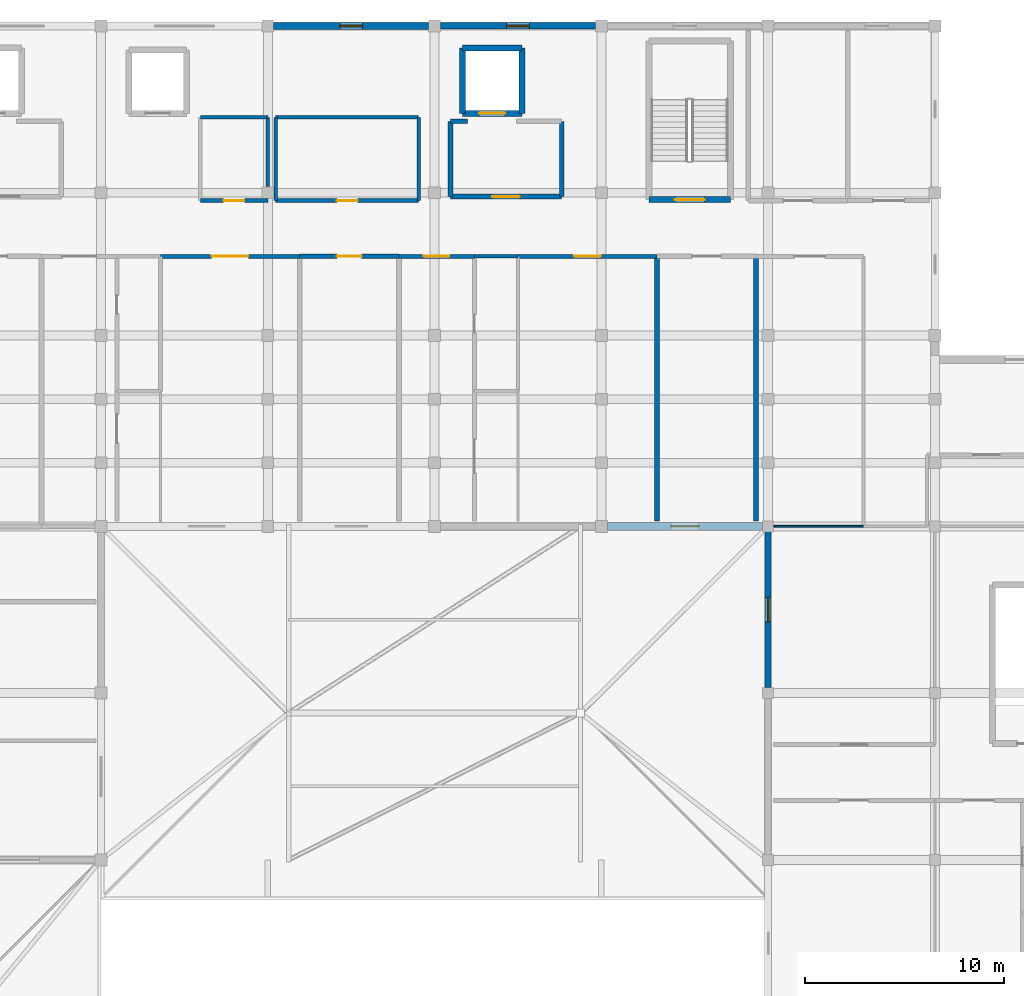
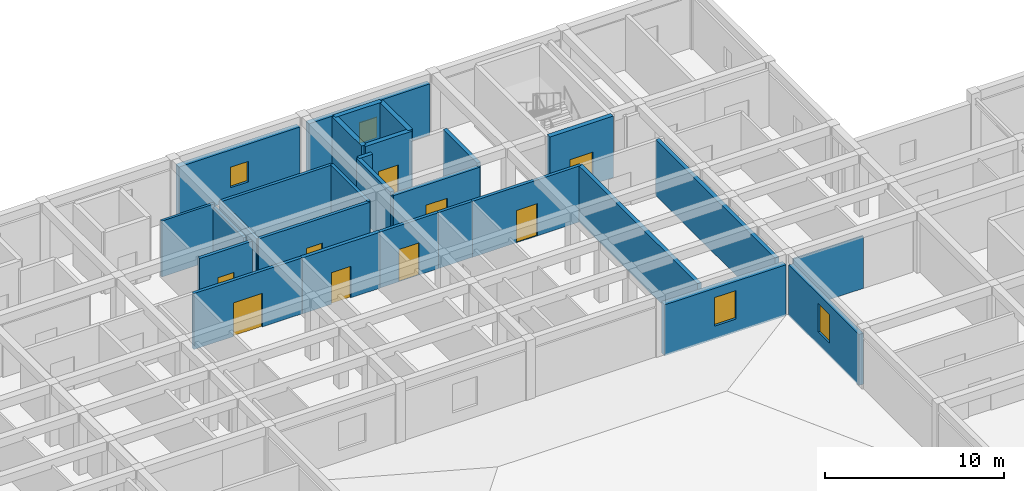
# One storey, part 17 of 42: 28 walls, 9 doors, 4 windows, 13 openings.
"""IFC4 building model written with IfcOpenShell, lengths in metres."""

from ifc_helpers import new_model, si_unit, direction, frame, frame_2d, origin, place, context, subcontext, project, spatial, rectangle, extrude, material, layer, layer_set, type_object, element, fill, save


model = new_model("IFC4")

# Units and contexts
model_context = context("Model", 3, precision=1e-05, world=origin(), true_north=direction((0.0, 1.0)))
body_context = subcontext(model_context, "Body", "Model", "MODEL_VIEW")
ifc_project = project(units=[si_unit("LENGTHUNIT", "METRE"), si_unit("AREAUNIT", "SQUARE_METRE"), si_unit("VOLUMEUNIT", "CUBIC_METRE"), si_unit("PLANEANGLEUNIT", "RADIAN"), si_unit("MASSUNIT", "GRAM", prefix="KILO")], contexts=[model_context])

# Site, building, storey
site_placement = place(None, origin())
site = spatial("IfcSite", under=ifc_project, at=site_placement, CompositionType="ELEMENT")
building_placement = place(site_placement, origin())
building = spatial("IfcBuilding", under=site, at=building_placement, Name="Varncliffe General Hospital", CompositionType="ELEMENT")
storey_placement = place(building_placement, frame((0.0, 0.0, 20.39990234375)))
storey = spatial("IfcBuildingStorey", under=building, at=storey_placement, Name="L04", CompositionType="ELEMENT", Elevation=20.39990234375)

# Wall, opening, window
ifc_material_1 = material(Name="Precast concrete C40/50 with insulated cream lime-cement stucco", Category="concrete")
ifc_layer_1 = layer(ifc_material_1, 0.3798828125)
ifc_layer_set_1 = layer_set([ifc_layer_1], Name="Precast concrete C40/50 with insulated cream lime-cement stucco")
wall_type_1 = type_object("IfcWallType", Name="Exterior Insulated Stucco Wall EW26 (380mm)", PredefinedType="SOLIDWALL", material=ifc_layer_set_1)
wall_1_placement = place(storey_placement, frame((58.527099609375, 99.60009765625, 0.0), z_axis=(0.0, 0.0, 1.0), x_axis=(-1.0, 0.0, 0.0)))
wall_1 = element("IfcWall", 1, at=wall_1_placement, inside=storey, type_object=wall_type_1, Name="L04 Exterior Stucco Wall EW26-331", PredefinedType="SOLIDWALL", context=body_context, shape_type="SweptSolid", body=[
    extrude(rectangle(XDim=7.8291015625, YDim=0.3798828125, at=frame_2d((3.91455078125, 0.0))), origin(), (0.0, 0.0, 1.0), 3.47998046875),
])
opening_1_placement = place(wall_1_placement, frame((3.214599609375, 0.0, 0.89990234375)))
opening_1 = element("IfcOpeningElement", 2, at=opening_1_placement, cuts=wall_1, Name="Opening WN22", PredefinedType="OPENING", context=body_context, shape_type="SweptSolid", body=[
    extrude(rectangle(XDim=1.39990234375, YDim=1.949951171875, at=frame_2d((0.699951171875, 0.97509765625))), frame((0.0, 0.199951171875, 0.0), z_axis=(0.0, -1.0, 0.0), x_axis=(1.0, 0.0, 0.0)), (0.0, 0.0, 1.0), 0.39990234375),
])
ifc_material_2 = material(Name="Triple low-E argon insulated vision glazing", Category="glass")
window_type_1 = type_object("IfcWindowType", Name="Triple-Glazed Hospital Window WN22 (1400x1950)", PartitioningType="SINGLE_PANEL", PredefinedType="WINDOW", material=ifc_material_2)
window_1_placement = place(opening_1_placement, origin())
window_1 = element("IfcWindow", 3, at=window_1_placement, inside=storey, type_object=window_type_1, Name="L04 Hospital Window WN22-246", OverallHeight=1.949951171875, OverallWidth=1.39990234375, PartitioningType="SINGLE_PANEL", PredefinedType="WINDOW", context=body_context, shape_type="SweptSolid", body=[
    extrude(rectangle(XDim=1.39990234375, YDim=1.949951171875, at=frame_2d((0.699951171875, 0.97509765625))), frame((0.0, 0.030029296875, 0.0), z_axis=(0.0, -1.0, 0.0), x_axis=(1.0, 0.0, 0.0)), (0.0, 0.0, 1.0), 0.06005859375),
])
fill(opening_1, window_1)

ifc_layer_2 = layer(ifc_material_1, 0.2900390625)
ifc_layer_set_2 = layer_set([ifc_layer_2], Name="Precast concrete C40/50 with insulated cream lime-cement stucco")
wall_type_2 = type_object("IfcWallType", Name="Exterior Insulated Stucco Wall EW31 (290mm)", PredefinedType="SOLIDWALL", material=ifc_layer_set_2)
wall_2_placement = place(storey_placement, frame((58.800048828125, 91.472900390625, 0.0), z_axis=(0.0, 0.0, 1.0), x_axis=(0.0, 1.0, 0.0)))
wall_2 = element("IfcWall", 4, at=wall_2_placement, inside=storey, type_object=wall_type_2, Name="L04 Exterior Stucco Wall EW31-330", PredefinedType="SOLIDWALL", context=body_context, shape_type="SweptSolid", body=[
    extrude(rectangle(XDim=7.85400390625, YDim=0.2900390625, at=frame_2d((3.927001953125, 0.0))), origin(), (0.0, 0.0, 1.0), 3.47998046875),
])
opening_2_placement = place(wall_2_placement, frame((3.302001953125, 0.0, 0.89990234375)))
opening_2 = element("IfcOpeningElement", 5, at=opening_2_placement, cuts=wall_2, Name="Opening WN49", PredefinedType="OPENING", context=body_context, shape_type="SweptSolid", body=[
    extrude(rectangle(XDim=1.25, YDim=1.949951171875, at=frame_2d((0.625, 0.97509765625))), frame((0.0, 0.155029296875, 0.0), z_axis=(0.0, -1.0, 0.0), x_axis=(1.0, 0.0, 0.0)), (0.0, 0.0, 1.0), 0.31005859375),
])
window_type_2 = type_object("IfcWindowType", Name="Triple-Glazed Hospital Window WN49 (1250x1950)", PartitioningType="SINGLE_PANEL", PredefinedType="WINDOW", material=ifc_material_2)
window_2_placement = place(opening_2_placement, origin())
window_2 = element("IfcWindow", 6, at=window_2_placement, inside=storey, type_object=window_type_2, Name="L04 Hospital Window WN49-245", OverallHeight=1.949951171875, OverallWidth=1.25, PartitioningType="SINGLE_PANEL", PredefinedType="WINDOW", context=body_context, shape_type="SweptSolid", body=[
    extrude(rectangle(XDim=1.25, YDim=1.949951171875, at=frame_2d((0.625, 0.97509765625))), frame((0.0, 0.030029296875, 0.0), z_axis=(0.0, -1.0, 0.0), x_axis=(1.0, 0.0, 0.0)), (0.0, 0.0, 1.0), 0.06005859375),
])
fill(opening_2, window_2)

ifc_layer_3 = layer(ifc_material_1, 0.330078125)
ifc_layer_set_3 = layer_set([ifc_layer_3], Name="Precast concrete C40/50 with insulated cream lime-cement stucco")
wall_type_3 = type_object("IfcWallType", Name="Exterior Insulated Stucco Wall EW33 (330mm)", PredefinedType="SOLIDWALL", material=ifc_layer_set_3)
wall_3_placement = place(storey_placement, frame((42.298095703125, 124.800048828125, 0.0), z_axis=(0.0, 0.0, 1.0), x_axis=(1.0, 0.0, 0.0)))
wall_3 = element("IfcWall", 7, at=wall_3_placement, inside=storey, type_object=wall_type_3, Name="L04 Exterior Stucco Wall EW33-352", PredefinedType="SOLIDWALL", context=body_context, shape_type="SweptSolid", body=[
    extrude(rectangle(XDim=7.803955078125, YDim=0.330078125, at=frame_2d((3.90185546875, 0.0))), origin(), (0.0, 0.0, 1.0), 3.47998046875),
])
opening_3_placement = place(wall_3_placement, frame((3.326904296875, 0.0, 0.89990234375)))
opening_3 = element("IfcOpeningElement", 8, at=opening_3_placement, cuts=wall_3, Name="Opening WN62", PredefinedType="OPENING", context=body_context, shape_type="SweptSolid", body=[
    extrude(rectangle(XDim=1.14990234375, YDim=1.39990234375, at=frame_2d((0.574951171875, 0.699951171875))), frame((0.0, 0.175048828125, 0.0), z_axis=(0.0, -1.0, 0.0), x_axis=(1.0, 0.0, 0.0)), (0.0, 0.0, 1.0), 0.35009765625),
])
window_type_3 = type_object("IfcWindowType", Name="Triple-Glazed Hospital Window WN62 (1150x1400)", PartitioningType="SINGLE_PANEL", PredefinedType="WINDOW", material=ifc_material_2)
window_3_placement = place(opening_3_placement, origin())
window_3 = element("IfcWindow", 9, at=window_3_placement, inside=storey, type_object=window_type_3, Name="L04 Hospital Window WN62-262", OverallHeight=1.39990234375, OverallWidth=1.14990234375, PartitioningType="SINGLE_PANEL", PredefinedType="WINDOW", context=body_context, shape_type="SweptSolid", body=[
    extrude(rectangle(XDim=1.14990234375, YDim=1.39990234375, at=frame_2d((0.574951171875, 0.699951171875))), frame((0.0, 0.030029296875, 0.0), z_axis=(0.0, -1.0, 0.0), x_axis=(1.0, 0.0, 0.0)), (0.0, 0.0, 1.0), 0.06005859375),
])
fill(opening_3, window_3)

ifc_layer_4 = layer(ifc_material_1, 0.35009765625)
ifc_layer_set_4 = layer_set([ifc_layer_4], Name="Precast concrete C40/50 with insulated cream lime-cement stucco")
wall_type_4 = type_object("IfcWallType", Name="Exterior Insulated Stucco Wall EW37 (350mm)", PredefinedType="SOLIDWALL", material=ifc_layer_set_4)
wall_4_placement = place(storey_placement, frame((33.89794921875, 124.800048828125, 0.0), z_axis=(0.0, 0.0, 1.0), x_axis=(1.0, 0.0, 0.0)))
wall_4 = element("IfcWall", 10, at=wall_4_placement, inside=storey, type_object=wall_type_4, Name="L04 Exterior Stucco Wall EW37-351", PredefinedType="SOLIDWALL", context=body_context, shape_type="SweptSolid", body=[
    extrude(rectangle(XDim=7.803955078125, YDim=0.35009765625, at=frame_2d((3.90185546875, 0.0))), origin(), (0.0, 0.0, 1.0), 3.47998046875),
])
opening_4_placement = place(wall_4_placement, frame((3.326904296875, 0.0, 0.89990234375)))
opening_4 = element("IfcOpeningElement", 11, at=opening_4_placement, cuts=wall_4, Name="Opening WN62", PredefinedType="OPENING", context=body_context, shape_type="SweptSolid", body=[
    extrude(rectangle(XDim=1.14990234375, YDim=1.39990234375, at=frame_2d((0.574951171875, 0.699951171875))), frame((0.0, 0.18505859375, 0.0), z_axis=(0.0, -1.0, 0.0), x_axis=(1.0, 0.0, 0.0)), (0.0, 0.0, 1.0), 0.3701171875),
])
window_4_placement = place(opening_4_placement, origin())
window_4 = element("IfcWindow", 12, at=window_4_placement, inside=storey, type_object=window_type_3, Name="L04 Hospital Window WN62-261", OverallHeight=1.39990234375, OverallWidth=1.14990234375, PartitioningType="SINGLE_PANEL", PredefinedType="WINDOW", context=body_context, shape_type="SweptSolid", body=[
    extrude(rectangle(XDim=1.14990234375, YDim=1.39990234375, at=frame_2d((0.574951171875, 0.699951171875))), frame((0.0, 0.030029296875, 0.0), z_axis=(0.0, -1.0, 0.0), x_axis=(1.0, 0.0, 0.0)), (0.0, 0.0, 1.0), 0.06005859375),
])
fill(opening_4, window_4)

# Wall
ifc_material_3 = material(Name="Acoustic clinical gypsum stud partition assembly", Category="gypsum")
ifc_layer_5 = layer(ifc_material_3, 0.090087890625)
ifc_layer_set_5 = layer_set([ifc_layer_5], Name="Acoustic clinical gypsum stud partition assembly")
wall_type_5 = type_object("IfcWallType", Name="Interior Partitioning IW42 (90mm)", PredefinedType="PARTITIONING", material=ifc_layer_set_5)
wall_5_placement = place(storey_placement, frame((59.090087890625, 99.60009765625, 0.0), z_axis=(0.0, 0.0, 1.0), x_axis=(1.0, 0.0, 0.0)))
element("IfcWall", 13, at=wall_5_placement, inside=storey, type_object=wall_type_5, Name="L04 Interior Partition Wall IW42-1741", PredefinedType="PARTITIONING", context=body_context, shape_type="SweptSolid", body=[
    extrude(rectangle(XDim=4.510009765625, YDim=0.090087890625, at=frame_2d((2.2548828125, 0.0))), origin(), (0.0, 0.0, 1.0), 3.585205078125),
])

# Wall, opening, door
ifc_material_4 = material(Name="Fire-rated gypsum and mineral-wool partition assembly", Category="gypsum")
ifc_layer_6 = layer(ifc_material_4, 0.25)
ifc_layer_set_6 = layer_set([ifc_layer_6], Name="Fire-rated gypsum and mineral-wool partition assembly")
wall_type_6 = type_object("IfcWallType", Name="Interior Partitioning PW38 (250mm)", PredefinedType="PARTITIONING", material=ifc_layer_set_6)
wall_6_placement = place(storey_placement, frame((42.800048828125, 116.199951171875, 0.0), z_axis=(0.0, 0.0, 1.0), x_axis=(1.0, 0.0, 0.0)))
wall_6 = element("IfcWall", 14, at=wall_6_placement, inside=storey, type_object=wall_type_6, Name="L04 Interior Partition Wall PW38-1825", PredefinedType="PARTITIONING", context=body_context, shape_type="SweptSolid", body=[
    extrude(rectangle(XDim=5.599853515625, YDim=0.25, at=frame_2d((2.7998046875, 0.0))), origin(), (0.0, 0.0, 1.0), 3.585205078125),
])
opening_5_placement = place(wall_6_placement, frame((2.10009765625, 0.0, 0.0)))
opening_5 = element("IfcOpeningElement", 15, at=opening_5_placement, cuts=wall_6, Name="Opening DF81", PredefinedType="OPENING", context=body_context, shape_type="SweptSolid", body=[
    extrude(rectangle(XDim=1.39990234375, YDim=2.199951171875, at=frame_2d((0.699951171875, 1.10009765625))), frame((0.0, 0.135009765625, 0.0), z_axis=(0.0, -1.0, 0.0), x_axis=(1.0, 0.0, 0.0)), (0.0, 0.0, 1.0), 0.27001953125),
])
ifc_material_5 = material(Name="Fire-rated hospital steel-frame vision-panel door", Category="steel")
door_type_1 = type_object("IfcDoorType", Name="Interior Hospital Door DF81 (1400x2200)", OperationType="NOTDEFINED", PredefinedType="DOOR", material=ifc_material_5)
door_1_placement = place(opening_5_placement, origin())
door_1 = element("IfcDoor", 16, at=door_1_placement, inside=storey, type_object=door_type_1, Name="L04 Firefighting Lift Lobby LF02 Door", OperationType="SINGLE_SWING_RIGHT", OverallHeight=2.199951171875, OverallWidth=1.39990234375, PredefinedType="DOOR", context=body_context, shape_type="SweptSolid", body=[
    extrude(rectangle(XDim=1.39990234375, YDim=2.199951171875, at=frame_2d((0.699951171875, 1.10009765625))), frame((0.0, 0.02490234375, 0.0), z_axis=(0.0, -1.0, 0.0), x_axis=(1.0, 0.0, 0.0)), (0.0, 0.0, 1.0), 0.050048828125),
])
fill(opening_5, door_1)

# Walls
wall_7_placement = place(storey_placement, frame((42.800048828125, 120.0, 0.0), z_axis=(0.0, 0.0, 1.0), x_axis=(1.0, 0.0, 0.0)))
element("IfcWall", 17, at=wall_7_placement, inside=storey, type_object=wall_type_6, Name="L04 Interior Partition Wall PW38-1830", PredefinedType="PARTITIONING", context=body_context, shape_type="SweptSolid", body=[
    extrude(rectangle(XDim=0.864013671875, YDim=0.25, at=frame_2d((0.43212890625, 0.0))), origin(), (0.0, 0.0, 1.0), 3.820068359375),
])
wall_8_placement = place(storey_placement, frame((42.800048828125, 116.199951171875, 0.0), z_axis=(0.0, 0.0, 1.0), x_axis=(0.0, 1.0, 0.0)))
element("IfcWall", 18, at=wall_8_placement, inside=storey, type_object=wall_type_6, Name="L04 Interior Partition Wall PW38-1869", PredefinedType="PARTITIONING", context=body_context, shape_type="SweptSolid", body=[
    extrude(rectangle(XDim=3.800048828125, YDim=0.25, at=frame_2d((1.89990234375, 0.0))), origin(), (0.0, 0.0, 1.0), 3.820068359375),
])
for number, where, z_axis, x_axis, name in (
    (19, (53.199951171875, 99.860107421875, 0.0), (0.0, 0.0, 1.0), (0.0, 1.0, 0.0), "L04 Interior Partition Wall PW38-1875"),
    (20, (58.199951171875, 99.860107421875, 0.0), (0.0, 0.0, 1.0), (0.0, 1.0, 0.0), "L04 Interior Partition Wall PW38-1877"),
):
    element("IfcWall", number, at=place(storey_placement, frame(where, z_axis=z_axis, x_axis=x_axis)), inside=storey, type_object=wall_type_6, Name=name, PredefinedType="PARTITIONING", context=body_context, shape_type="SweptSolid", body=[
        extrude(rectangle(XDim=13.33984375, YDim=0.25, at=frame_2d((6.669921875, 0.0))), origin(), (0.0, 0.0, 1.0), 3.820068359375),
    ])

# Wall, opening, door
ifc_layer_7 = layer(ifc_material_4, 0.22998046875)
ifc_layer_set_7 = layer_set([ifc_layer_7], Name="Fire-rated gypsum and mineral-wool partition assembly")
wall_type_7 = type_object("IfcWallType", Name="Interior Partitioning PW48 (230mm)", PredefinedType="PARTITIONING", material=ifc_layer_set_7)
wall_9_placement = place(storey_placement, frame((35.199951171875, 113.199951171875, 0.0), z_axis=(0.0, 0.0, 1.0), x_axis=(1.0, 0.0, 0.0)))
wall_9 = element("IfcWall", 21, at=wall_9_placement, inside=storey, type_object=wall_type_7, Name="L04 Interior Partition Wall PW48-1792", PredefinedType="PARTITIONING", context=body_context, shape_type="SweptSolid", body=[
    extrude(rectangle(XDim=5.0, YDim=0.22998046875, at=frame_2d((2.5, 0.0))), origin(), (0.0, 0.0, 1.0), 3.820068359375),
])
opening_6_placement = place(wall_9_placement, frame((1.875, 0.0, 0.0)))
opening_6 = element("IfcOpeningElement", 22, at=opening_6_placement, cuts=wall_9, Name="Opening DC44", PredefinedType="OPENING", context=body_context, shape_type="SweptSolid", body=[
    extrude(rectangle(XDim=1.25, YDim=2.14990234375, at=frame_2d((0.625, 1.074951171875))), frame((0.0, 0.125, 0.0), z_axis=(0.0, -1.0, 0.0), x_axis=(1.0, 0.0, 0.0)), (0.0, 0.0, 1.0), 0.25),
])
door_type_2 = type_object("IfcDoorType", Name="Interior Hospital Door DC44 (1250x2150)", OperationType="NOTDEFINED", PredefinedType="DOOR", material=ifc_material_5)
door_2_placement = place(opening_6_placement, frame((1.25, 0.0, 0.0), z_axis=(0.0, 0.0, 1.0), x_axis=(-1.0, 0.0, 0.0)))
door_2 = element("IfcDoor", 23, at=door_2_placement, inside=storey, type_object=door_type_2, Name="L04 Ward Soiled Utility Store 88 Door", OperationType="SINGLE_SWING_RIGHT", OverallHeight=2.14990234375, OverallWidth=1.25, PredefinedType="DOOR", context=body_context, shape_type="SweptSolid", body=[
    extrude(rectangle(XDim=1.25, YDim=2.14990234375, at=frame_2d((0.625, 1.074951171875))), frame((0.0, 0.02490234375, 0.0), z_axis=(0.0, -1.0, 0.0), x_axis=(1.0, 0.0, 0.0)), (0.0, 0.0, 1.0), 0.050048828125),
])
fill(opening_6, door_2)

# Wall
wall_10_placement = place(storey_placement, frame((48.39990234375, 116.199951171875, 0.0), z_axis=(0.0, 0.0, 1.0), x_axis=(0.0, 1.0, 0.0)))
element("IfcWall", 24, at=wall_10_placement, inside=storey, type_object=wall_type_7, Name="L04 Interior Partition Wall PW48-1874", PredefinedType="PARTITIONING", context=body_context, shape_type="SweptSolid", body=[
    extrude(rectangle(XDim=3.800048828125, YDim=0.22998046875, at=frame_2d((1.89990234375, 0.0))), origin(), (0.0, 0.0, 1.0), 3.820068359375),
])

# Wall, opening, door
ifc_layer_8 = layer(ifc_material_4, 0.199951171875)
ifc_layer_set_8 = layer_set([ifc_layer_8], Name="Fire-rated gypsum and mineral-wool partition assembly")
wall_type_8 = type_object("IfcWallType", Name="Interior Partitioning PW63 (200mm)", PredefinedType="PARTITIONING", material=ifc_layer_set_8)
wall_11_placement = place(storey_placement, frame((28.199951171875, 113.199951171875, 0.0), z_axis=(0.0, 0.0, 1.0), x_axis=(1.0, 0.0, 0.0)))
wall_11 = element("IfcWall", 25, at=wall_11_placement, inside=storey, type_object=wall_type_8, Name="L04 Interior Partition Wall PW63-1791", PredefinedType="PARTITIONING", context=body_context, shape_type="SweptSolid", body=[
    extrude(rectangle(XDim=7.0, YDim=0.199951171875, at=frame_2d((3.5, 0.0))), origin(), (0.0, 0.0, 1.0), 3.820068359375),
])
opening_7_placement = place(wall_11_placement, frame((2.574951171875, 0.0, 0.0)))
opening_7 = element("IfcOpeningElement", 26, at=opening_7_placement, cuts=wall_11, Name="Opening DC38", PredefinedType="OPENING", context=body_context, shape_type="SweptSolid", body=[
    extrude(rectangle(XDim=1.85009765625, YDim=2.300048828125, at=frame_2d((0.925048828125, 1.14990234375))), frame((0.0, 0.10986328125, 0.0), z_axis=(0.0, -1.0, 0.0), x_axis=(1.0, 0.0, 0.0)), (0.0, 0.0, 1.0), 0.219970703125),
])
door_type_3 = type_object("IfcDoorType", Name="Interior Hospital Door DC38 (1850x2300)", OperationType="NOTDEFINED", PredefinedType="DOOR", material=ifc_material_5)
door_3_placement = place(opening_7_placement, frame((1.85009765625, 0.0, 0.0), z_axis=(0.0, 0.0, 1.0), x_axis=(-1.0, 0.0, 0.0)))
door_3 = element("IfcDoor", 27, at=door_3_placement, inside=storey, type_object=door_type_3, Name="L04 Telemetry Central Monitoring Station 87 Door", OperationType="SINGLE_SWING_LEFT", OverallHeight=2.300048828125, OverallWidth=1.85009765625, PredefinedType="DOOR", context=body_context, shape_type="SweptSolid", body=[
    extrude(rectangle(XDim=1.85009765625, YDim=2.300048828125, at=frame_2d((0.925048828125, 1.14990234375))), frame((0.0, 0.02490234375, 0.0), z_axis=(0.0, -1.0, 0.0), x_axis=(1.0, 0.0, 0.0)), (0.0, 0.0, 1.0), 0.050048828125),
])
fill(opening_7, door_3)

wall_12_placement = place(storey_placement, frame((40.199951171875, 113.199951171875, 0.0), z_axis=(0.0, 0.0, 1.0), x_axis=(1.0, 0.0, 0.0)))
wall_12 = element("IfcWall", 28, at=wall_12_placement, inside=storey, type_object=wall_type_8, Name="L04 Interior Partition Wall PW63-1793", PredefinedType="PARTITIONING", context=body_context, shape_type="SweptSolid", body=[
    extrude(rectangle(XDim=3.800048828125, YDim=0.199951171875, at=frame_2d((1.89990234375, 0.0))), origin(), (0.0, 0.0, 1.0), 3.820068359375),
])
opening_8_placement = place(wall_12_placement, frame((1.25, 0.0, 0.0)))
opening_8 = element("IfcOpeningElement", 29, at=opening_8_placement, cuts=wall_12, Name="Opening DC88", PredefinedType="OPENING", context=body_context, shape_type="SweptSolid", body=[
    extrude(rectangle(XDim=1.300048828125, YDim=2.199951171875, at=frame_2d((0.64990234375, 1.10009765625))), frame((0.0, 0.10986328125, 0.0), z_axis=(0.0, -1.0, 0.0), x_axis=(1.0, 0.0, 0.0)), (0.0, 0.0, 1.0), 0.219970703125),
])
door_type_4 = type_object("IfcDoorType", Name="Interior Hospital Door DC88 (1300x2200)", OperationType="NOTDEFINED", PredefinedType="DOOR", material=ifc_material_5)
door_4_placement = place(opening_8_placement, frame((1.300048828125, 0.0, 0.0), z_axis=(0.0, 0.0, 1.0), x_axis=(-1.0, 0.0, 0.0)))
door_4 = element("IfcDoor", 30, at=door_4_placement, inside=storey, type_object=door_type_4, Name="L04 Cardiology Telemetry Inpatient Room 89 Door", OperationType="SINGLE_SWING_LEFT", OverallHeight=2.199951171875, OverallWidth=1.300048828125, PredefinedType="DOOR", context=body_context, shape_type="SweptSolid", body=[
    extrude(rectangle(XDim=1.300048828125, YDim=2.199951171875, at=frame_2d((0.64990234375, 1.10009765625))), frame((0.0, 0.02490234375, 0.0), z_axis=(0.0, -1.0, 0.0), x_axis=(1.0, 0.0, 0.0)), (0.0, 0.0, 1.0), 0.050048828125),
])
fill(opening_8, door_4)

wall_13_placement = place(storey_placement, frame((46.199951171875, 113.199951171875, 0.0), z_axis=(0.0, 0.0, 1.0), x_axis=(1.0, 0.0, 0.0)))
wall_13 = element("IfcWall", 31, at=wall_13_placement, inside=storey, type_object=wall_type_8, Name="L04 Interior Partition Wall PW63-1795", PredefinedType="PARTITIONING", context=body_context, shape_type="SweptSolid", body=[
    extrude(rectangle(XDim=7.0, YDim=0.199951171875, at=frame_2d((3.5, 0.0))), origin(), (0.0, 0.0, 1.0), 3.820068359375),
])
opening_9_placement = place(wall_13_placement, frame((2.824951171875, 0.0, 0.0)))
opening_9 = element("IfcOpeningElement", 32, at=opening_9_placement, cuts=wall_13, Name="Opening DC85", PredefinedType="OPENING", context=body_context, shape_type="SweptSolid", body=[
    extrude(rectangle(XDim=1.35009765625, YDim=2.199951171875, at=frame_2d((0.675048828125, 1.10009765625))), frame((0.0, 0.10986328125, 0.0), z_axis=(0.0, -1.0, 0.0), x_axis=(1.0, 0.0, 0.0)), (0.0, 0.0, 1.0), 0.219970703125),
])
door_type_5 = type_object("IfcDoorType", Name="Interior Hospital Door DC85 (1350x2200)", OperationType="NOTDEFINED", PredefinedType="DOOR", material=ifc_material_5)
door_5_placement = place(opening_9_placement, frame((1.35009765625, 0.0, 0.0), z_axis=(0.0, 0.0, 1.0), x_axis=(-1.0, 0.0, 0.0)))
door_5 = element("IfcDoor", 33, at=door_5_placement, inside=storey, type_object=door_type_5, Name="L04 Telemetry Central Monitoring Station 92 Door", OperationType="SINGLE_SWING_RIGHT", OverallHeight=2.199951171875, OverallWidth=1.35009765625, PredefinedType="DOOR", context=body_context, shape_type="SweptSolid", body=[
    extrude(rectangle(XDim=1.35009765625, YDim=2.199951171875, at=frame_2d((0.675048828125, 1.10009765625))), frame((0.0, 0.02490234375, 0.0), z_axis=(0.0, -1.0, 0.0), x_axis=(1.0, 0.0, 0.0)), (0.0, 0.0, 1.0), 0.050048828125),
])
fill(opening_9, door_5)

wall_14_placement = place(storey_placement, frame((30.199951171875, 116.0, 0.0), z_axis=(0.0, 0.0, 1.0), x_axis=(1.0, 0.0, 0.0)))
wall_14 = element("IfcWall", 34, at=wall_14_placement, inside=storey, type_object=wall_type_8, Name="L04 Interior Partition Wall PW63-1812", PredefinedType="PARTITIONING", context=body_context, shape_type="SweptSolid", body=[
    extrude(rectangle(XDim=3.400146484375, YDim=0.199951171875, at=frame_2d((1.7001953125, 0.0))), origin(), (0.0, 0.0, 1.0), 3.820068359375),
])
opening_10_placement = place(wall_14_placement, frame((1.179931640625, 0.0, 0.0)))
opening_10 = element("IfcOpeningElement", 35, at=opening_10_placement, cuts=wall_14, Name="Opening DI77", PredefinedType="OPENING", context=body_context, shape_type="SweptSolid", body=[
    extrude(rectangle(XDim=1.0400390625, YDim=2.10009765625, at=frame_2d((0.52001953125, 1.050048828125))), frame((0.0, 0.10986328125, 0.0), z_axis=(0.0, -1.0, 0.0), x_axis=(1.0, 0.0, 0.0)), (0.0, 0.0, 1.0), 0.219970703125),
])
ifc_material_6 = material(Name="Solid-core antimicrobial hospital oak veneer door", Category="wood")
door_type_6 = type_object("IfcDoorType", Name="Interior Hospital Door DI77 (1040x2100)", OperationType="NOTDEFINED", PredefinedType="DOOR", material=ifc_material_6)
door_6_placement = place(opening_10_placement, origin())
door_6 = element("IfcDoor", 36, at=door_6_placement, inside=storey, type_object=door_type_6, Name="L04 Accessible WC L04-NW Door", OperationType="SINGLE_SWING_LEFT", OverallHeight=2.10009765625, OverallWidth=1.0400390625, PredefinedType="DOOR", context=body_context, shape_type="SweptSolid", body=[
    extrude(rectangle(XDim=1.0400390625, YDim=2.10009765625, at=frame_2d((0.52001953125, 1.050048828125))), frame((0.0, 0.02490234375, 0.0), z_axis=(0.0, -1.0, 0.0), x_axis=(1.0, 0.0, 0.0)), (0.0, 0.0, 1.0), 0.050048828125),
])
fill(opening_10, door_6)

wall_15_placement = place(storey_placement, frame((34.0, 116.0, 0.0), z_axis=(0.0, 0.0, 1.0), x_axis=(1.0, 0.0, 0.0)))
wall_15 = element("IfcWall", 37, at=wall_15_placement, inside=storey, type_object=wall_type_8, Name="L04 Interior Partition Wall PW63-1813", PredefinedType="PARTITIONING", context=body_context, shape_type="SweptSolid", body=[
    extrude(rectangle(XDim=7.199951171875, YDim=0.199951171875, at=frame_2d((3.60009765625, 0.0))), origin(), (0.0, 0.0, 1.0), 3.820068359375),
])
opening_11_placement = place(wall_15_placement, frame((3.080078125, 0.0, 0.0)))
opening_11 = element("IfcOpeningElement", 38, at=opening_11_placement, cuts=wall_15, Name="Opening DI77", PredefinedType="OPENING", context=body_context, shape_type="SweptSolid", body=[
    extrude(rectangle(XDim=1.0400390625, YDim=2.10009765625, at=frame_2d((0.52001953125, 1.050048828125))), frame((0.0, 0.10986328125, 0.0), z_axis=(0.0, -1.0, 0.0), x_axis=(1.0, 0.0, 0.0)), (0.0, 0.0, 1.0), 0.219970703125),
])
door_7_placement = place(opening_11_placement, origin())
door_7 = element("IfcDoor", 39, at=door_7_placement, inside=storey, type_object=door_type_6, Name="L04 Staff and Visitor WC L04-NW Door", OperationType="SINGLE_SWING_RIGHT", OverallHeight=2.10009765625, OverallWidth=1.0400390625, PredefinedType="DOOR", context=body_context, shape_type="SweptSolid", body=[
    extrude(rectangle(XDim=1.0400390625, YDim=2.10009765625, at=frame_2d((0.52001953125, 1.050048828125))), frame((0.0, 0.02490234375, 0.0), z_axis=(0.0, -1.0, 0.0), x_axis=(1.0, 0.0, 0.0)), (0.0, 0.0, 1.0), 0.050048828125),
])
fill(opening_11, door_7)

# Walls
ifc_material_7 = material(Name="Moisture-resistant plumbing chase wall assembly", Category="gypsum")
ifc_layer_9 = layer(ifc_material_7, 0.18994140625)
ifc_layer_set_9 = layer_set([ifc_layer_9], Name="Moisture-resistant plumbing chase wall assembly")
wall_type_9 = type_object("IfcWallType", Name="Interior Plumbingwall MW17 (190mm)", PredefinedType="PLUMBINGWALL", material=ifc_layer_set_9)
wall_16_placement = place(storey_placement, frame((44.0, 113.199951171875, 0.0), z_axis=(0.0, 0.0, 1.0), x_axis=(1.0, 0.0, 0.0)))
element("IfcWall", 40, at=wall_16_placement, inside=storey, type_object=wall_type_9, Name="L04 Interior Plumbing Wall MW17-1794", PredefinedType="PLUMBINGWALL", context=body_context, shape_type="SweptSolid", body=[
    extrude(rectangle(XDim=2.199951171875, YDim=0.18994140625, at=frame_2d((1.10009765625, 0.0))), origin(), (0.0, 0.0, 1.0), 3.820068359375),
])
wall_17_placement = place(storey_placement, frame((34.0, 120.199951171875, 0.0), z_axis=(0.0, 0.0, 1.0), x_axis=(1.0, 0.0, 0.0)))
element("IfcWall", 41, at=wall_17_placement, inside=storey, type_object=wall_type_9, Name="L04 Interior Plumbing Wall MW17-1834", PredefinedType="PLUMBINGWALL", context=body_context, shape_type="SweptSolid", body=[
    extrude(rectangle(XDim=7.199951171875, YDim=0.18994140625, at=frame_2d((3.60009765625, 0.0))), origin(), (0.0, 0.0, 1.0), 3.820068359375),
])
wall_18_placement = place(storey_placement, frame((33.60009765625, 116.715087890625, 0.0), z_axis=(0.0, 0.0, 1.0), x_axis=(0.0, 1.0, 0.0)))
element("IfcWall", 42, at=wall_18_placement, inside=storey, type_object=wall_type_9, Name="L04 Interior Plumbing Wall MW17-1864", PredefinedType="PLUMBINGWALL", context=body_context, shape_type="SweptSolid", body=[
    extrude(rectangle(XDim=3.48486328125, YDim=0.18994140625, at=frame_2d((1.742431640625, 0.0))), origin(), (0.0, 0.0, 1.0), 3.585205078125),
])
wall_19_placement = place(storey_placement, frame((41.199951171875, 116.0, 0.0), z_axis=(0.0, 0.0, 1.0), x_axis=(0.0, 1.0, 0.0)))
element("IfcWall", 43, at=wall_19_placement, inside=storey, type_object=wall_type_9, Name="L04 Interior Plumbing Wall MW17-1868", PredefinedType="PLUMBINGWALL", context=body_context, shape_type="SweptSolid", body=[
    extrude(rectangle(XDim=4.199951171875, YDim=0.18994140625, at=frame_2d((2.10009765625, 0.0))), origin(), (0.0, 0.0, 1.0), 3.820068359375),
])
ifc_layer_10 = layer(ifc_material_7, 0.159912109375)
ifc_layer_set_10 = layer_set([ifc_layer_10], Name="Moisture-resistant plumbing chase wall assembly")
wall_type_10 = type_object("IfcWallType", Name="Interior Plumbingwall MW31 (160mm)", PredefinedType="PLUMBINGWALL", material=ifc_layer_set_10)
wall_20_placement = place(storey_placement, frame((30.199951171875, 120.199951171875, 0.0), z_axis=(0.0, 0.0, 1.0), x_axis=(1.0, 0.0, 0.0)))
element("IfcWall", 44, at=wall_20_placement, inside=storey, type_object=wall_type_10, Name="L04 Interior Plumbing Wall MW31-1833", PredefinedType="PLUMBINGWALL", context=body_context, shape_type="SweptSolid", body=[
    extrude(rectangle(XDim=3.400146484375, YDim=0.159912109375, at=frame_2d((1.7001953125, 0.0))), origin(), (0.0, 0.0, 1.0), 3.820068359375),
])
wall_21_placement = place(storey_placement, frame((34.0, 116.0, 0.0), z_axis=(0.0, 0.0, 1.0), x_axis=(0.0, 1.0, 0.0)))
element("IfcWall", 45, at=wall_21_placement, inside=storey, type_object=wall_type_10, Name="L04 Interior Plumbing Wall MW31-1865", PredefinedType="PLUMBINGWALL", context=body_context, shape_type="SweptSolid", body=[
    extrude(rectangle(XDim=4.199951171875, YDim=0.159912109375, at=frame_2d((2.10009765625, 0.0))), origin(), (0.0, 0.0, 1.0), 3.820068359375),
])

# Wall, opening, door
ifc_material_8 = material(Name="Concrete C40/50 (CSA A23.1 40 MPa)", Category="concrete")
ifc_layer_11 = layer(ifc_material_8, 0.300048828125)
ifc_layer_set_11 = layer_set([ifc_layer_11], Name="Concrete C40/50 (CSA A23.1 40 MPa)")
wall_type_11 = type_object("IfcWallType", Name="Reinforced Concrete Core Shear Wall CW12 (300mm)", PredefinedType="SHEAR", material=ifc_layer_set_11)
wall_22_placement = place(storey_placement, frame((52.800048828125, 116.050048828125, 0.0), z_axis=(0.0, 0.0, 1.0), x_axis=(1.0, 0.0, 0.0)))
wall_22 = element("IfcWall", 46, at=wall_22_placement, inside=storey, type_object=wall_type_11, Name="L04 ST02 Core Shear Wall N", PredefinedType="SHEAR", context=body_context, shape_type="SweptSolid", body=[
    extrude(rectangle(XDim=4.099853515625, YDim=0.300048828125, at=frame_2d((2.0498046875, 0.0))), origin(), (0.0, 0.0, 1.0), 4.2001953125),
])
opening_12_placement = place(wall_22_placement, frame((1.300048828125, 0.0, 0.0)))
opening_12 = element("IfcOpeningElement", 47, at=opening_12_placement, cuts=wall_22, Name="Opening DF28", PredefinedType="OPENING", context=body_context, shape_type="SweptSolid", body=[
    extrude(rectangle(XDim=1.5, YDim=2.199951171875, at=frame_2d((0.75, 1.10009765625))), frame((0.0, 0.16015625, 0.0), z_axis=(0.0, -1.0, 0.0), x_axis=(1.0, 0.0, 0.0)), (0.0, 0.0, 1.0), 0.320068359375),
])
door_type_7 = type_object("IfcDoorType", Name="Interior Hospital Door DF28 (1500x2200)", OperationType="NOTDEFINED", PredefinedType="DOOR", material=ifc_material_5)
door_8_placement = place(opening_12_placement, frame((1.5, 0.0, 0.0), z_axis=(0.0, 0.0, 1.0), x_axis=(-1.0, 0.0, 0.0)))
door_8 = element("IfcDoor", 48, at=door_8_placement, inside=storey, type_object=door_type_7, Name="L04 ST02 Protected Exit Stair Door", OperationType="SINGLE_SWING_LEFT", OverallHeight=2.199951171875, OverallWidth=1.5, PredefinedType="DOOR", context=body_context, shape_type="SweptSolid", body=[
    extrude(rectangle(XDim=1.5, YDim=2.199951171875, at=frame_2d((0.75, 1.10009765625))), frame((0.0, 0.02490234375, 0.0), z_axis=(0.0, -1.0, 0.0), x_axis=(1.0, 0.0, 0.0)), (0.0, 0.0, 1.0), 0.050048828125),
])
fill(opening_12, door_8)

wall_23_placement = place(storey_placement, frame((43.39990234375, 120.39990234375, 0.0), z_axis=(0.0, 0.0, 1.0), x_axis=(1.0, 0.0, 0.0)))
wall_23 = element("IfcWall", 49, at=wall_23_placement, inside=storey, type_object=wall_type_11, Name="L04 LF02 Elevator Shaft Wall South", PredefinedType="SHEAR", context=body_context, shape_type="SweptSolid", body=[
    extrude(rectangle(XDim=3.0, YDim=0.300048828125, at=frame_2d((1.5, 0.0))), origin(), (0.0, 0.0, 1.0), 4.2001953125),
])
opening_13_placement = place(wall_23_placement, frame((0.85009765625, 0.0, 0.0)))
opening_13 = element("IfcOpeningElement", 50, at=opening_13_placement, cuts=wall_23, Name="Opening LD02", PredefinedType="OPENING", context=body_context, shape_type="SweptSolid", body=[
    extrude(rectangle(XDim=1.300048828125, YDim=2.199951171875, at=frame_2d((0.64990234375, 1.10009765625))), frame((0.0, 0.16015625, 0.0), z_axis=(0.0, -1.0, 0.0), x_axis=(1.0, 0.0, 0.0)), (0.0, 0.0, 1.0), 0.320068359375),
])
ifc_material_9 = material(Name="Brushed stainless-steel sliding elevator landing door", Category="steel")
door_type_8 = type_object("IfcDoorType", Name="Lift Landing Door LD02 (1300x2200)", OperationType="DOUBLE_DOOR_SLIDING", PredefinedType="DOOR", material=ifc_material_9)
door_9_placement = place(opening_13_placement, origin())
door_9 = element("IfcDoor", 51, at=door_9_placement, inside=storey, type_object=door_type_8, Name="Lift Landing Door LF02 L04", OperationType="DOUBLE_DOOR_SLIDING", OverallHeight=2.199951171875, OverallWidth=1.300048828125, PredefinedType="DOOR", context=body_context, shape_type="SweptSolid", body=[
    extrude(rectangle(XDim=1.300048828125, YDim=2.199951171875, at=frame_2d((0.64990234375, 1.10009765625))), frame((0.0, 0.02490234375, 0.0), z_axis=(0.0, -1.0, 0.0), x_axis=(1.0, 0.0, 0.0)), (0.0, 0.0, 1.0), 0.050048828125),
])
fill(opening_13, door_9)

# Walls
wall_24_placement = place(storey_placement, frame((46.39990234375, 120.39990234375, 0.0), z_axis=(0.0, 0.0, 1.0), x_axis=(0.0, 1.0, 0.0)))
element("IfcWall", 52, at=wall_24_placement, inside=storey, type_object=wall_type_11, Name="L04 LF02 Elevator Shaft Wall East", PredefinedType="SHEAR", context=body_context, shape_type="SweptSolid", body=[
    extrude(rectangle(XDim=3.300048828125, YDim=0.300048828125, at=frame_2d((1.64990234375, 0.0))), origin(), (0.0, 0.0, 1.0), 4.2001953125),
])
wall_25_placement = place(storey_placement, frame((46.39990234375, 123.699951171875, 0.0), z_axis=(0.0, 0.0, 1.0), x_axis=(-1.0, 0.0, 0.0)))
element("IfcWall", 53, at=wall_25_placement, inside=storey, type_object=wall_type_11, Name="L04 LF02 Elevator Shaft Wall North", PredefinedType="SHEAR", context=body_context, shape_type="SweptSolid", body=[
    extrude(rectangle(XDim=3.0, YDim=0.300048828125, at=frame_2d((1.5, 0.0))), origin(), (0.0, 0.0, 1.0), 4.2001953125),
])
wall_26_placement = place(storey_placement, frame((43.39990234375, 123.699951171875, 0.0), z_axis=(0.0, 0.0, 1.0), x_axis=(0.0, -1.0, 0.0)))
element("IfcWall", 54, at=wall_26_placement, inside=storey, type_object=wall_type_11, Name="L04 LF02 Elevator Shaft Wall West", PredefinedType="SHEAR", context=body_context, shape_type="SweptSolid", body=[
    extrude(rectangle(XDim=3.300048828125, YDim=0.300048828125, at=frame_2d((1.64990234375, 0.0))), origin(), (0.0, 0.0, 1.0), 4.2001953125),
])

save(model, "model.ifc")
